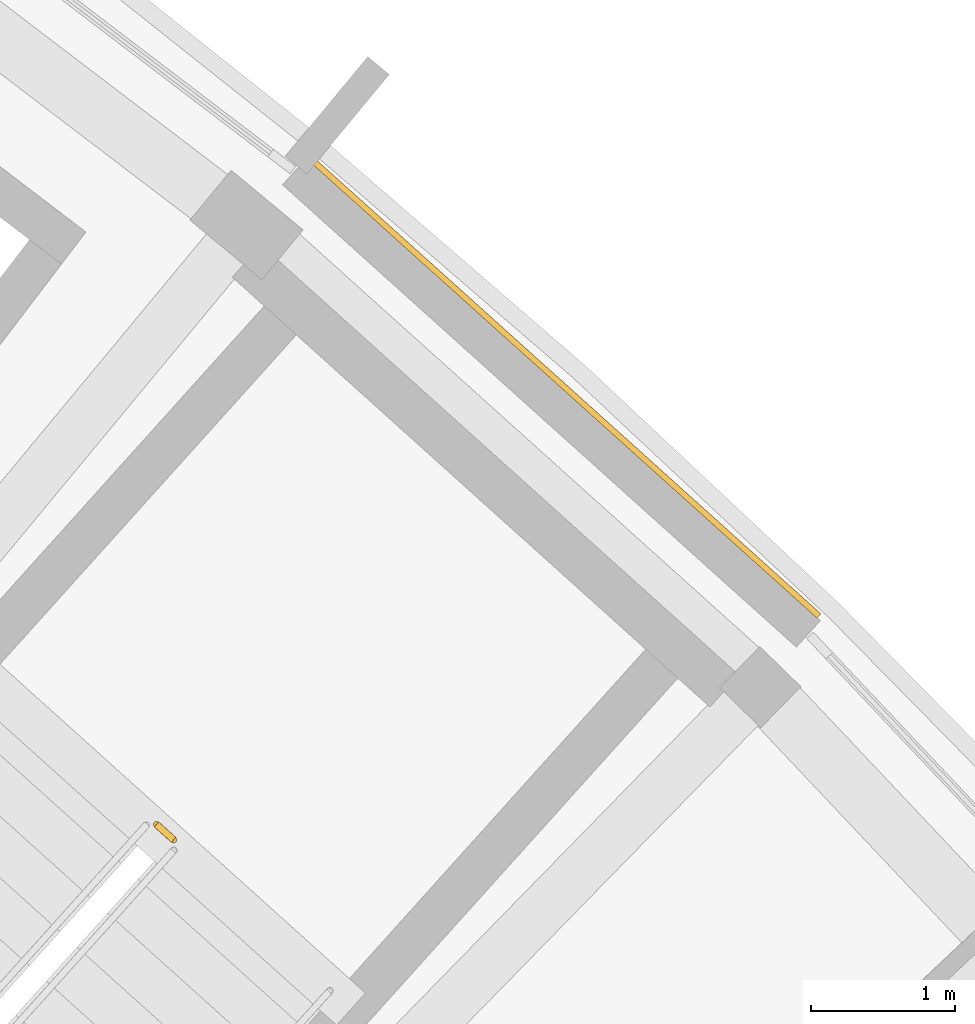
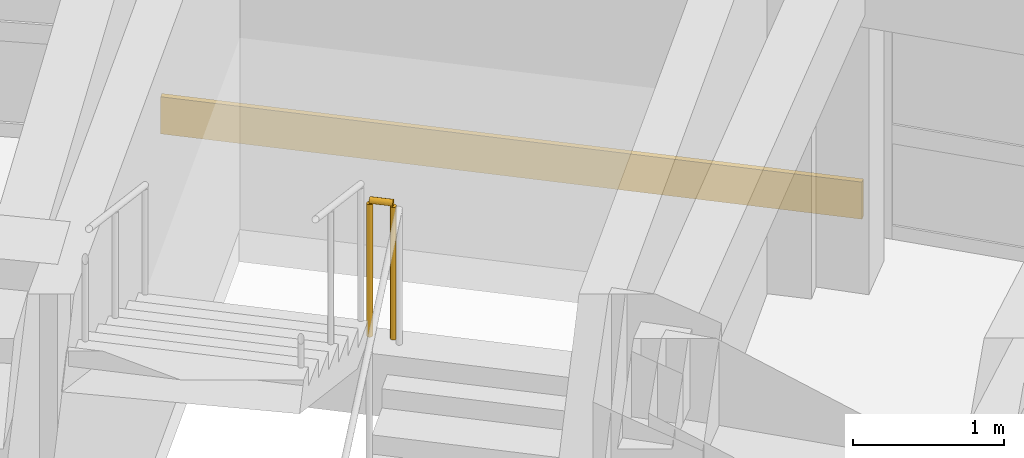
# One storey, part 53 of 54: 1 covering, 1 railing.
"""IFC4 building model written with IfcOpenShell, lengths in metres."""

from ifc_helpers import new_model, si_unit, direction, frame, origin, origin_2d, place, context, subcontext, project, spatial, rectangle, circle, extrude, material, layer, layer_set, type_object, element, save


model = new_model("IFC4")

# Units and contexts
model_context = context("Model", 3, precision=1e-05, world=origin(), true_north=direction((0.0, 1.0)))
body_context = subcontext(model_context, "Body", "Model", "MODEL_VIEW")
ifc_project = project(units=[si_unit("LENGTHUNIT", "METRE"), si_unit("AREAUNIT", "SQUARE_METRE"), si_unit("VOLUMEUNIT", "CUBIC_METRE"), si_unit("PLANEANGLEUNIT", "RADIAN"), si_unit("MASSUNIT", "GRAM", prefix="KILO")], contexts=[model_context])

# Site, building, storey
site_placement = place(None, origin())
site = spatial("IfcSite", under=ifc_project, at=site_placement, CompositionType="ELEMENT")
building_placement = place(site_placement, origin())
building = spatial("IfcBuilding", under=site, at=building_placement, Name="Zimvara Arc Housing Community", CompositionType="ELEMENT")
storey_placement = place(building_placement, frame((0.0, 0.0, 23.60009765625)))
storey = spatial("IfcBuildingStorey", under=building, at=storey_placement, Name="L07", CompositionType="ELEMENT", Elevation=23.60009765625)

# Covering
ifc_material_1 = material(Name="Pale-Gold Anodised Aluminium Cladding", Category="aluminium")
ifc_layer = layer(ifc_material_1, 0.0400390625)
ifc_layer_set = layer_set([ifc_layer], Name="Pale-Gold Anodised Aluminium Cladding")
covering_type = type_object("IfcCoveringType", Name="CLD-GOLD-01", PredefinedType="CLADDING", material=ifc_layer_set)
covering_placement = place(storey_placement, frame((84.779541015625, 88.71044921875, 0.009765625), z_axis=(0.0, 0.0, 1.0), x_axis=(0.74337718344, -0.668872456557, 0.0)))
element("IfcCovering", 1, at=covering_placement, inside=storey, type_object=covering_type, Name="cld:blkB:L07:out:b8", PredefinedType="CLADDING", context=body_context, shape_type="SweptSolid", body=[
    extrude(rectangle(XDim=4.748779296875, YDim=0.0400390625, at=origin_2d()), origin(), (0.0, 0.0, 1.0), 0.300048828125),
])

# Railing
ifc_material_2 = material(Name="Anodised Aluminium AW-6063", Category="aluminium")
railing_type = type_object("IfcRailingType", Name="RLG-BAL-1120", PredefinedType="BALUSTRADE", material=ifc_material_2)
railing_placement = place(storey_placement, frame((82.05615234375, 85.564208984375, 1.5498046875)))
element("IfcRailing", 2, at=railing_placement, inside=storey, type_object=railing_type, Name="L07 ST-B2 stair guard 2", PredefinedType="BALUSTRADE", context=body_context, shape_type="SweptSolid", body=[
    extrude(circle(Radius=0.02392578125, at=origin_2d()), frame((0.0, 0.0, 1.09619140625), z_axis=(-0.744203407529, 0.667953058397, 0.0), x_axis=(-0.667953058397, -0.744203407529, 0.0)), (0.0, 0.0, 1.0), 0.16015625),
    extrude(circle(Radius=0.02099609375, at=origin_2d()), origin(), (0.0, 0.0, 1.0), 1.072021484375),
    extrude(circle(Radius=0.02099609375, at=origin_2d()), frame((-0.119140625, 0.10693359375, 0.0)), (0.0, 0.0, 1.0), 1.072021484375),
])

save(model, "model.ifc")
